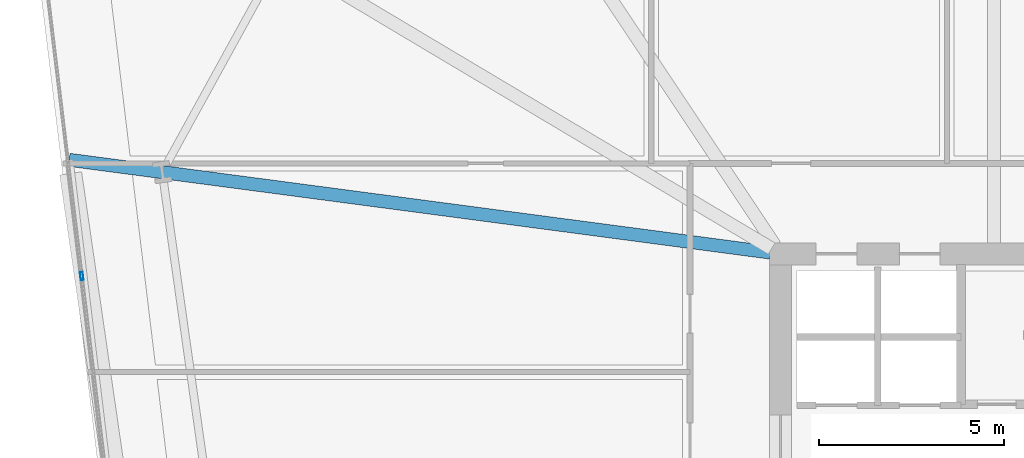
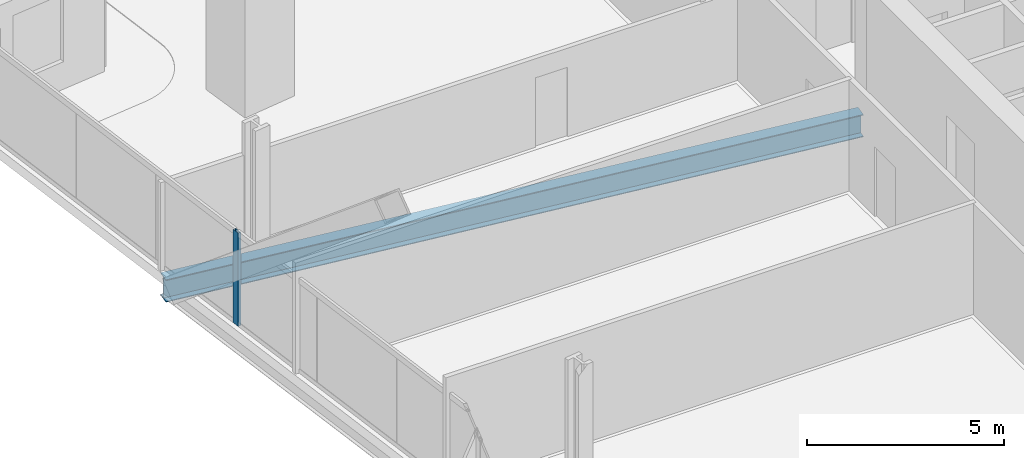
# One storey, part 14 of 33: 1 beam, 1 member, 1 element without a shape of its own.
"""IFC4 building model written with IfcOpenShell, lengths in metres."""

from ifc_helpers import new_model, si_unit, direction, frame, origin, origin_2d, place, context, subcontext, project, spatial, hollow_rectangle, i_section, extrude, material, material_profile, profile_set, type_object, element, aggregate, save


model = new_model("IFC4")

# Units and contexts
model_context = context("Model", 3, precision=1e-05, world=origin(), true_north=direction((0.0, 1.0)))
body_context = subcontext(model_context, "Body", "Model", "MODEL_VIEW")
ifc_project = project(units=[si_unit("LENGTHUNIT", "METRE"), si_unit("AREAUNIT", "SQUARE_METRE"), si_unit("VOLUMEUNIT", "CUBIC_METRE"), si_unit("PLANEANGLEUNIT", "RADIAN"), si_unit("MASSUNIT", "GRAM", prefix="KILO")], contexts=[model_context])

# Site, building, storey
site_placement = place(None, origin())
site = spatial("IfcSite", under=ifc_project, at=site_placement, CompositionType="ELEMENT")
building_placement = place(site_placement, origin())
building = spatial("IfcBuilding", under=site, at=building_placement, Name="Haldenkirk Collegiate Tower", CompositionType="ELEMENT")
storey_placement = place(building_placement, frame((0.0, 0.0, 51.449951171875)))
storey = spatial("IfcBuildingStorey", under=building, at=storey_placement, Name="L11", CompositionType="ELEMENT", Elevation=51.449951171875)

# Beam
ifc_material_1 = material(Name="Steel ASTM A992 Grade 50", Category="steel")
ifc_material_profile_1 = material_profile(ifc_material_1, i_section(OverallWidth=0.35498046875, OverallDepth=0.696044921875, WebThickness=0.015380859375, FlangeThickness=0.02490234375, at=origin_2d()), Name="W27X146")
ifc_profile_set_1 = profile_set([ifc_material_profile_1], Name="Steel ASTM A992 Grade 50")
beam_type = type_object("IfcBeamType", Name="BM-GIRDER-W27X146", PredefinedType="BEAM", material=ifc_profile_set_1)
beam_placement = place(storey_placement, frame((7.748291015625, 36.5458984375, -0.657958984375), z_axis=(0.991368376056, -0.131105846382, 0.0), x_axis=(0.131105846382, 0.991368376056, 0.0)))
element("IfcBeam", 1, at=beam_placement, inside=storey, type_object=beam_type, Name="L11 primary floor girder 14", PredefinedType="BEAM", context=body_context, shape_type="SweptSolid", body=[
    extrude(i_section(OverallWidth=0.35498046875, OverallDepth=0.696044921875, WebThickness=0.015380859375, FlangeThickness=0.02490234375, at=origin_2d()), origin(), (0.0, 0.0, 1.0), 19.139404296875),
])

# Curtain wall, member
ifc_material_2 = material(Name="Anodised architectural bronze aluminium", Category="aluminium")
curtain_wall_type = type_object("IfcCurtainWallType", Name="CW-SYS1-CONVEX-LOW", PredefinedType="USERDEFINED", material=ifc_material_2)
curtain_wall_placement = place(storey_placement, origin())
curtain_wall = element("IfcCurtainWall", 2, at=curtain_wall_placement, inside=storey, type_object=curtain_wall_type, Name="L11 Lower tower convex bronze-framed unitised curtain wall", ObjectType="UNITISED CURTAIN WALL", PredefinedType="USERDEFINED")
ifc_material_profile_2 = material_profile(ifc_material_2, hollow_rectangle(XDim=0.080078125, YDim=0.219970703125, WallThickness=0.0048828125, at=origin_2d()), Name="CW-MUL-1A")
ifc_profile_set_2 = profile_set([ifc_material_profile_2], Name="Anodised architectural bronze aluminium")
member_type = type_object("IfcMemberType", Name="CW-MUL-1A", PredefinedType="MULLION", material=ifc_profile_set_2)
member_placement = place(storey_placement, frame((8.0888671875, 33.400390625, 0.0), z_axis=(0.0, 0.0, 1.0), x_axis=(-0.992757257091, -0.120137539898, 0.0)))
member = element("IfcMember", 3, at=member_placement, type_object=member_type, Name="CW-1A mullion 4", PredefinedType="MULLION", context=body_context, shape_type="SweptSolid", body=[
    extrude(hollow_rectangle(XDim=0.080078125, YDim=0.219970703125, WallThickness=0.0048828125, at=origin_2d()), origin(), (0.0, 0.0, 1.0), 2.89111328125),
])
aggregate(curtain_wall, [member])

save(model, "model.ifc")
